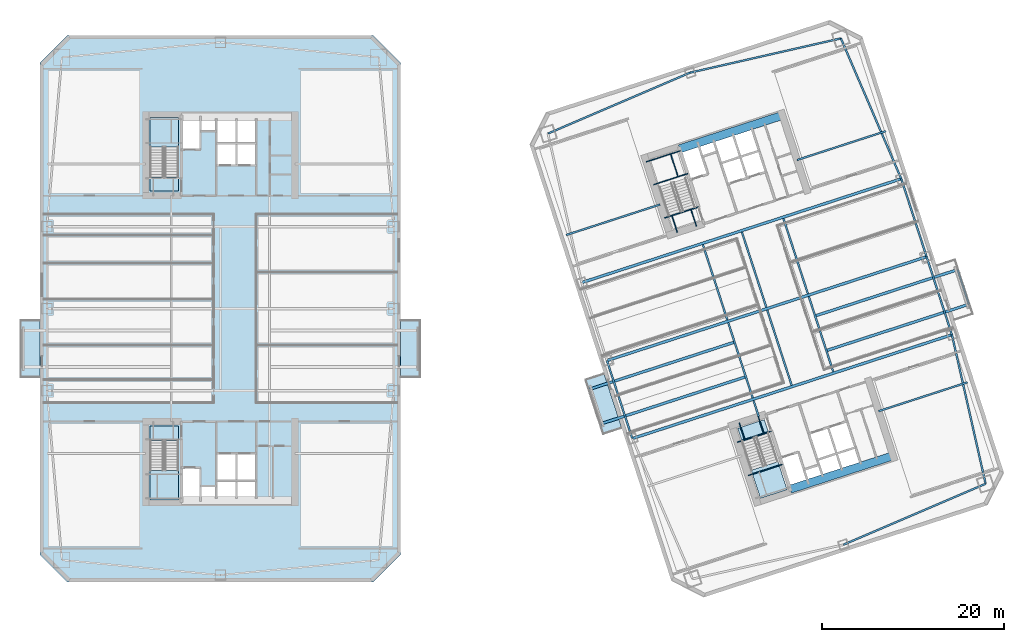
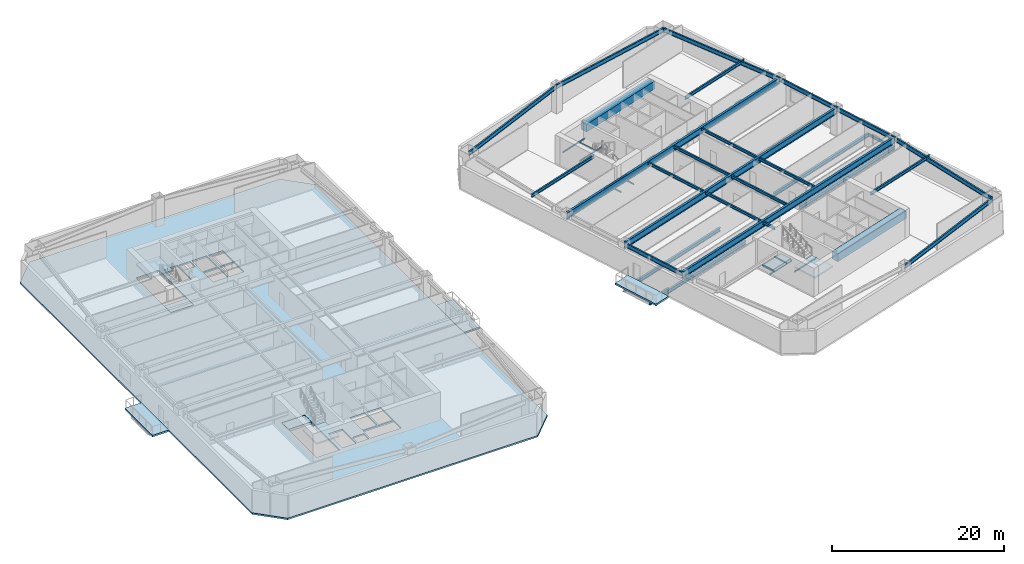
# One storey, part 2 of 18: 38 beams, 10 slabs, 3 elements without a shape of their own.
"""IFC4 building model written with IfcOpenShell, lengths in metres."""

from ifc_helpers import new_model, si_unit, direction, frame, origin, origin_2d, place, context, subcontext, project, spatial, polyline, rectangle, i_section, outline, extrude, material, layer, layer_set, material_profile, profile_set, type_object, element, aggregate, save


model = new_model("IFC4")

# Units and contexts
model_context = context("Model", 3, precision=1e-05, world=origin(), true_north=direction((0.0, 1.0)))
body_context = subcontext(model_context, "Body", "Model", "MODEL_VIEW")
ifc_project = project(units=[si_unit("LENGTHUNIT", "METRE"), si_unit("AREAUNIT", "SQUARE_METRE"), si_unit("VOLUMEUNIT", "CUBIC_METRE"), si_unit("PLANEANGLEUNIT", "RADIAN"), si_unit("MASSUNIT", "GRAM", prefix="KILO")], contexts=[model_context])

# Site, building, storey
site_placement = place(None, origin())
site = spatial("IfcSite", under=ifc_project, at=site_placement, CompositionType="ELEMENT")
building_placement = place(site_placement, origin())
building = spatial("IfcBuilding", under=site, at=building_placement, Name="Qiaolan Cultural Towers", CompositionType="ELEMENT")
storey_placement = place(building_placement, frame((0.0, 0.0, 38.0)))
storey = spatial("IfcBuildingStorey", under=building, at=storey_placement, Name="L08", CompositionType="ELEMENT", Elevation=38.0)

# Beams
ifc_material_1 = material(Name="Steel Q355B", Category="steel")
ifc_material_profile_1 = material_profile(ifc_material_1, i_section(OverallWidth=0.300048828125, OverallDepth=0.488037109375, WebThickness=0.010986328125, FlangeThickness=0.01806640625, at=origin_2d()), Name="HM488x300x11x18")
ifc_profile_set_1 = profile_set([ifc_material_profile_1], Name="Steel Q355B")
beam_type_1 = type_object("IfcBeamType", Name="BM-HM488x300x11x18", PredefinedType="BEAM", material=ifc_profile_set_1)
for number, where, z_axis, x_axis, name in (
    (1, (87.697998046875, 26.522705078125, -0.52392578125), (-0.951056559899, -0.309016860175, 0.0), (0.309016860175, -0.951056559899, 0.0), "L08 T2 Tree Balcony Back-Spanned Bracket Beam"),
    (2, (86.4619140625, 30.326904296875, -0.52392578125), (-0.951056559899, -0.309016860175, 0.0), (0.309016860175, -0.951056559899, 0.0), "L08 T2 Tree Balcony Back-Spanned Bracket Beam"),
):
    element("IfcBeam", number, at=place(storey_placement, frame(where, z_axis=z_axis, x_axis=x_axis)), inside=storey, type_object=beam_type_1, Name=name, PredefinedType="BEAM", context=body_context, shape_type="SweptSolid", body=[
        extrude(i_section(OverallWidth=0.300048828125, OverallDepth=0.488037109375, WebThickness=0.010986328125, FlangeThickness=0.01806640625, at=origin_2d()), origin(), (0.0, 0.0, 1.0), 16.75),
    ])
for number, where, z_axis, x_axis, name in (
    (3, (96.542724609375, 29.396484375, -0.52392578125), (0.951058714476, 0.309010228989, 0.0), (-0.309010228989, 0.951058714476, 0.0), "L08 T2 Tree Balcony Back-Spanned Bracket Beam"),
    (4, (95.306640625, 33.20068359375, -0.52392578125), (0.951054352744, 0.30902365302, 0.0), (-0.30902365302, 0.951054352744, 0.0), "L08 T2 Tree Balcony Back-Spanned Bracket Beam"),
):
    element("IfcBeam", number, at=place(storey_placement, frame(where, z_axis=z_axis, x_axis=x_axis)), inside=storey, type_object=beam_type_1, Name=name, PredefinedType="BEAM", context=body_context, shape_type="SweptSolid", body=[
        extrude(i_section(OverallWidth=0.300048828125, OverallDepth=0.488037109375, WebThickness=0.010986328125, FlangeThickness=0.01806640625, at=origin_2d()), origin(), (0.0, 0.0, 1.0), 16.4501953125),
    ])
ifc_material_2 = material(Name="Steel Q355B", Category="steel")
ifc_material_profile_2 = material_profile(ifc_material_2, i_section(OverallWidth=0.300048828125, OverallDepth=0.89990234375, WebThickness=0.01611328125, FlangeThickness=0.028076171875, at=origin_2d()), Name="HN900x300x16x28")
ifc_profile_set_2 = profile_set([ifc_material_profile_2], Name="Steel Q355B")
beam_type_2 = type_object("IfcBeamType", Name="BM-HN900x300x16x28", PredefinedType="BEAM", material=ifc_profile_set_2)
beam_1_placement = place(storey_placement, frame((75.234130859375, 19.739013671875, 3.2900390625), z_axis=(0.951055702987, 0.309019497469, 0.0), x_axis=(-0.309019497469, 0.951055702987, 0.0)))
element("IfcBeam", 5, at=beam_1_placement, inside=storey, type_object=beam_type_2, Name="L08 T2 Primary Transverse Girder V1", PredefinedType="BEAM", context=body_context, shape_type="SweptSolid", body=[
    extrude(i_section(OverallWidth=0.300048828125, OverallDepth=0.89990234375, WebThickness=0.01611328125, FlangeThickness=0.028076171875, at=origin_2d()), origin(), (0.0, 0.0, 1.0), 36.900146484375),
])
beam_2_placement = place(storey_placement, frame((72.453125, 28.298583984375, 3.2900390625), z_axis=(0.951055071173, 0.309021441968, 0.0), x_axis=(-0.309021441968, 0.951055071173, 0.0)))
element("IfcBeam", 6, at=beam_2_placement, inside=storey, type_object=beam_type_2, Name="L08 T2 Primary Transverse Girder V2", PredefinedType="BEAM", context=body_context, shape_type="SweptSolid", body=[
    extrude(i_section(OverallWidth=0.300048828125, OverallDepth=0.89990234375, WebThickness=0.01611328125, FlangeThickness=0.028076171875, at=origin_2d()), origin(), (0.0, 0.0, 1.0), 36.89990234375),
])
beam_3_placement = place(storey_placement, frame((69.671875, 36.858154296875, 3.2900390625), z_axis=(0.951055702987, 0.309019497469, 0.0), x_axis=(-0.309019497469, 0.951055702987, 0.0)))
element("IfcBeam", 7, at=beam_3_placement, inside=storey, type_object=beam_type_2, Name="L08 T2 Primary Transverse Girder V3", PredefinedType="BEAM", context=body_context, shape_type="SweptSolid", body=[
    extrude(i_section(OverallWidth=0.300048828125, OverallDepth=0.89990234375, WebThickness=0.01611328125, FlangeThickness=0.028076171875, at=origin_2d()), origin(), (0.0, 0.0, 1.0), 36.900146484375),
])
ifc_material_3 = material(Name="Steel Q355B", Category="steel")
ifc_material_profile_3 = material_profile(ifc_material_3, i_section(OverallWidth=0.175048828125, OverallDepth=0.35009765625, WebThickness=0.007080078125, FlangeThickness=0.010986328125, at=origin_2d()), Name="HN350x175x7x11")
ifc_profile_set_3 = profile_set([ifc_material_profile_3], Name="Steel Q355B")
beam_type_3 = type_object("IfcBeamType", Name="BM-JST-HN350x175x7x11", PredefinedType="JOIST", material=ifc_profile_set_3)
beam_4_placement = place(storey_placement, frame((112.187744140625, 34.479736328125, -0.52392578125), z_axis=(-0.3090046493, 0.951060527364, 0.0), x_axis=(-0.951060527364, -0.3090046493, 0.0)))
element("IfcBeam", 8, at=beam_4_placement, inside=storey, type_object=beam_type_3, Name="L08 T2 Tree Balcony Outer Edge Beam", PredefinedType="JOIST", context=body_context, shape_type="SweptSolid", body=[
    extrude(i_section(OverallWidth=0.175048828125, OverallDepth=0.35009765625, WebThickness=0.007080078125, FlangeThickness=0.010986328125, at=origin_2d()), origin(), (0.0, 0.0, 1.0), 4.000244140625),
])
ifc_material_4 = material(Name="Steel Q355B", Category="steel")
ifc_material_profile_4 = material_profile(ifc_material_4, i_section(OverallWidth=0.199951171875, OverallDepth=0.39990234375, WebThickness=0.008056640625, FlangeThickness=0.012939453125, at=origin_2d()), Name="HN400x200x8x13")
ifc_profile_set_4 = profile_set([ifc_material_profile_4], Name="Steel Q355B")
beam_type_4 = type_object("IfcBeamType", Name="BM-JST-HN400x200x8x13", PredefinedType="JOIST", material=ifc_profile_set_4)
beam_5_placement = place(storey_placement, frame((89.119384765625, 22.147705078125, 3.5400390625), z_axis=(-0.308933885266, 0.951083516067, 0.0), x_axis=(-0.951083516067, -0.308933885266, 0.0)))
element("IfcBeam", 9, at=beam_5_placement, inside=storey, type_object=beam_type_4, Name="L08 T2 Secondary Floor Joist U1-1", PredefinedType="JOIST", context=body_context, shape_type="SweptSolid", body=[
    extrude(i_section(OverallWidth=0.199951171875, OverallDepth=0.39990234375, WebThickness=0.008056640625, FlangeThickness=0.012939453125, at=origin_2d()), origin(), (0.0, 0.0, 1.0), 1.85009765625),
])
for number, where, z_axis, x_axis, name in (
    (10, (88.455078125, 24.192626953125, 3.5400390625), (-0.309020714809, 0.951055307445, 0.0), (-0.951055307445, -0.309020714809, 0.0), "L08 T2 Secondary Floor Joist U1-2"),
    (11, (85.673828125, 32.752197265625, 3.5400390625), (-0.309020714809, 0.951055307445, 0.0), (-0.951055307445, -0.309020714809, 0.0), "L08 T2 Secondary Floor Joist U1-3"),
    (12, (92.73486328125, 25.583251953125, 3.5400390625), (-0.309020714809, 0.951055307445, 0.0), (-0.951055307445, -0.309020714809, 0.0), "L08 T2 Secondary Floor Joist U2-2"),
    (13, (89.95361328125, 34.142578125, 3.5400390625), (-0.309020714809, 0.951055307445, 0.0), (-0.951055307445, -0.309020714809, 0.0), "L08 T2 Secondary Floor Joist U2-3"),
    (14, (97.2998046875, 27.06640625, 3.5400390625), (-0.309020714809, 0.951055307445, 0.0), (-0.951055307445, -0.309020714809, 0.0), "L08 T2 Secondary Floor Joist U3-2"),
    (15, (94.518798828125, 35.6259765625, 3.5400390625), (-0.309020714809, 0.951055307445, 0.0), (-0.951055307445, -0.309020714809, 0.0), "L08 T2 Secondary Floor Joist U3-3"),
):
    element("IfcBeam", number, at=place(storey_placement, frame(where, z_axis=z_axis, x_axis=x_axis)), inside=storey, type_object=beam_type_4, Name=name, PredefinedType="JOIST", context=body_context, shape_type="SweptSolid", body=[
        extrude(i_section(OverallWidth=0.199951171875, OverallDepth=0.39990234375, WebThickness=0.008056640625, FlangeThickness=0.012939453125, at=origin_2d()), origin(), (0.0, 0.0, 1.0), 8.699951171875),
    ])
ifc_material_5 = material(Name="Steel Q355B", Category="steel")
ifc_material_profile_5 = material_profile(ifc_material_5, i_section(OverallWidth=0.199951171875, OverallDepth=0.449951171875, WebThickness=0.009033203125, FlangeThickness=0.013916015625, at=origin_2d()), Name="HN450x200x9x14")
ifc_profile_set_5 = profile_set([ifc_material_profile_5], Name="Steel Q355B")
beam_type_5 = type_object("IfcBeamType", Name="BM-LNT-HN450x200x9x14", PredefinedType="LINTEL", material=ifc_profile_set_5)
beam_6_placement = place(storey_placement, frame((78.291259765625, 45.44189453125, 3.514892578125), z_axis=(-0.951052421511, -0.309029596542, 0.0), x_axis=(0.309029596542, -0.951052421511, 0.0)))
element("IfcBeam", 16, at=beam_6_placement, inside=storey, type_object=beam_type_5, Name="L08 T2 Core Flank Tie Lintel WN", PredefinedType="LINTEL", context=body_context, shape_type="SweptSolid", body=[
    extrude(i_section(OverallWidth=0.199951171875, OverallDepth=0.449951171875, WebThickness=0.009033203125, FlangeThickness=0.013916015625, at=origin_2d()), origin(), (0.0, 0.0, 1.0), 10.85009765625),
])
beam_7_placement = place(storey_placement, frame((102.279296875, 22.74365234375, 3.514892578125), z_axis=(0.951056820587, 0.309016057859, 0.0), x_axis=(-0.309016057859, 0.951056820587, 0.0)))
element("IfcBeam", 17, at=beam_7_placement, inside=storey, type_object=beam_type_5, Name="L08 T2 Core Flank Tie Lintel ES", PredefinedType="LINTEL", context=body_context, shape_type="SweptSolid", body=[
    extrude(i_section(OverallWidth=0.199951171875, OverallDepth=0.449951171875, WebThickness=0.009033203125, FlangeThickness=0.013916015625, at=origin_2d()), origin(), (0.0, 0.0, 1.0), 10.250244140625),
])
beam_8_placement = place(storey_placement, frame((93.31787109375, 50.32421875, 3.514892578125), z_axis=(0.951054546097, 0.309023057955, 0.0), x_axis=(-0.309023057955, 0.951054546097, 0.0)))
element("IfcBeam", 18, at=beam_8_placement, inside=storey, type_object=beam_type_5, Name="L08 T2 Core Flank Tie Lintel EN", PredefinedType="LINTEL", context=body_context, shape_type="SweptSolid", body=[
    extrude(i_section(OverallWidth=0.199951171875, OverallDepth=0.449951171875, WebThickness=0.009033203125, FlangeThickness=0.013916015625, at=origin_2d()), origin(), (0.0, 0.0, 1.0), 10.25),
])
ifc_material_6 = material(Name="Concrete C50", Category="concrete")
ifc_material_profile_6 = material_profile(ifc_material_6, rectangle(XDim=0.89990234375, YDim=1.10009765625, at=origin_2d()), Name="RC900x1100")
ifc_profile_set_6 = profile_set([ifc_material_profile_6], Name="Concrete C50")
beam_type_6 = type_object("IfcBeamType", Name="BM-RC900x1100", PredefinedType="BEAM", material=ifc_profile_set_6)
for number, where, z_axis, x_axis, name in (
    (19, (92.572265625, 14.174560546875, 3.18994140625), (0.951056266386, 0.309017763514, 0.0), (-0.309017763514, 0.951056266386, 0.0), "L08 T2 Core Header Girder S"),
    (20, (80.427978515625, 51.551025390625, 3.18994140625), (0.951056266386, 0.309017763514, 0.0), (-0.309017763514, 0.951056266386, 0.0), "L08 T2 Core Header Girder N"),
):
    element("IfcBeam", number, at=place(storey_placement, frame(where, z_axis=z_axis, x_axis=x_axis)), inside=storey, type_object=beam_type_6, Name=name, PredefinedType="BEAM", context=body_context, shape_type="SweptSolid", body=[
        extrude(rectangle(XDim=0.89990234375, YDim=1.10009765625, at=origin_2d()), origin(), (0.0, 0.0, 1.0), 11.880126953125),
    ])
ifc_material_7 = material(Name="Steel Q355B", Category="steel")
ifc_material_profile_7 = material_profile(ifc_material_7, i_section(OverallWidth=0.199951171875, OverallDepth=0.60009765625, WebThickness=0.010986328125, FlangeThickness=0.01708984375, at=origin_2d()), Name="HN600x200x11x17")
ifc_profile_set_7 = profile_set([ifc_material_profile_7], Name="Steel Q355B")
beam_type_7 = type_object("IfcBeamType", Name="BM-SPD-HN600x200x11x17", PredefinedType="SPANDREL", material=ifc_profile_set_7)
beam_9_placement = place(storey_placement, frame((98.420654296875, 8.083740234375, 3.43994140625), z_axis=(0.919108584923, 0.394004326272, 0.0), x_axis=(-0.394004326272, 0.919108584923, 0.0)))
element("IfcBeam", 21, at=beam_9_placement, inside=storey, type_object=beam_type_7, Name="L08 T2 Perimeter Spandrel Beam 2", PredefinedType="SPANDREL", context=body_context, shape_type="SweptSolid", body=[
    extrude(i_section(OverallWidth=0.199951171875, OverallDepth=0.60009765625, WebThickness=0.010986328125, FlangeThickness=0.01708984375, at=origin_2d()), origin(), (0.0, 0.0, 1.0), 16.97998046875),
])
beam_10_placement = place(storey_placement, frame((114.027099609375, 14.77392578125, 3.43994140625), z_axis=(-0.220430557386, 0.975402670373, 0.0), x_axis=(-0.975402670373, -0.220430557386, 0.0)))
element("IfcBeam", 22, at=beam_10_placement, inside=storey, type_object=beam_type_7, Name="L08 T2 Perimeter Spandrel Beam 3", PredefinedType="SPANDREL", context=body_context, shape_type="SweptSolid", body=[
    extrude(i_section(OverallWidth=0.199951171875, OverallDepth=0.60009765625, WebThickness=0.010986328125, FlangeThickness=0.01708984375, at=origin_2d()), origin(), (0.0, 0.0, 1.0), 16.78076171875),
])
for number, where, z_axis, x_axis, name in (
    (23, (110.328125, 31.141845703125, 3.43994140625), (-0.309024734286, 0.951054001411, 0.0), (-0.951054001411, -0.309024734286, 0.0), "L08 T2 Perimeter Spandrel Beam 4"),
    (24, (107.546875, 39.701416015625, 3.43994140625), (-0.309000197986, 0.951061973609, 0.0), (-0.951061973609, -0.309000197986, 0.0), "L08 T2 Perimeter Spandrel Beam 5"),
):
    element("IfcBeam", number, at=place(storey_placement, frame(where, z_axis=z_axis, x_axis=x_axis)), inside=storey, type_object=beam_type_7, Name=name, PredefinedType="SPANDREL", context=body_context, shape_type="SweptSolid", body=[
        extrude(i_section(OverallWidth=0.199951171875, OverallDepth=0.60009765625, WebThickness=0.010986328125, FlangeThickness=0.01708984375, at=origin_2d()), origin(), (0.0, 0.0, 1.0), 9.0),
    ])
beam_11_placement = place(storey_placement, frame((104.765869140625, 48.260986328125, 3.43994140625), z_axis=(-0.394998896054, 0.918681594524, 0.0), x_axis=(-0.918681594524, -0.394998896054, 0.0)))
element("IfcBeam", 25, at=beam_11_placement, inside=storey, type_object=beam_type_7, Name="L08 T2 Perimeter Spandrel Beam 6", PredefinedType="SPANDREL", context=body_context, shape_type="SweptSolid", body=[
    extrude(i_section(OverallWidth=0.199951171875, OverallDepth=0.60009765625, WebThickness=0.010986328125, FlangeThickness=0.01708984375, at=origin_2d()), origin(), (0.0, 0.0, 1.0), 16.78076171875),
])
for number, where, z_axis, x_axis, name in (
    (26, (98.137451171875, 63.67724609375, 3.43994140625), (-0.975161095889, -0.221496810506, 0.0), (0.221496810506, -0.975161095889, 0.0), "L08 T2 Perimeter Spandrel Beam 7"),
    (27, (81.579345703125, 59.916259765625, 3.43994140625), (-0.919108584923, -0.394004326272, 0.0), (0.394004326272, -0.919108584923, 0.0), "L08 T2 Perimeter Spandrel Beam 8"),
):
    element("IfcBeam", number, at=place(storey_placement, frame(where, z_axis=z_axis, x_axis=x_axis)), inside=storey, type_object=beam_type_7, Name=name, PredefinedType="SPANDREL", context=body_context, shape_type="SweptSolid", body=[
        extrude(i_section(OverallWidth=0.199951171875, OverallDepth=0.60009765625, WebThickness=0.010986328125, FlangeThickness=0.01708984375, at=origin_2d()), origin(), (0.0, 0.0, 1.0), 16.97998046875),
    ])
beam_12_placement = place(storey_placement, frame((72.453125, 28.298583984375, 3.43994140625), z_axis=(0.309000197986, -0.951061973609, 0.0), x_axis=(0.951061973609, 0.309000197986, 0.0)))
element("IfcBeam", 28, at=beam_12_placement, inside=storey, type_object=beam_type_7, Name="L08 T2 Perimeter Spandrel Beam 11", PredefinedType="SPANDREL", context=body_context, shape_type="SweptSolid", body=[
    extrude(i_section(OverallWidth=0.199951171875, OverallDepth=0.60009765625, WebThickness=0.010986328125, FlangeThickness=0.01708984375, at=origin_2d()), origin(), (0.0, 0.0, 1.0), 9.0),
])
ifc_material_8 = material(Name="Steel Q355B", Category="steel")
ifc_material_profile_8 = material_profile(ifc_material_8, i_section(OverallWidth=0.10009765625, OverallDepth=0.199951171875, WebThickness=0.005615234375, FlangeThickness=0.008056640625, at=origin_2d()), Name="HN200x100x5.5x8")
ifc_profile_set_8 = profile_set([ifc_material_profile_8], Name="Steel Q355B")
beam_type_8 = type_object("IfcBeamType", Name="BM-STTRIM-200", PredefinedType="BEAM", material=ifc_profile_set_8)
beam_13_placement = place(storey_placement, frame((86.770751953125, 19.3447265625, -0.4599609375), z_axis=(0.951047798727, 0.309043823005, 0.0), x_axis=(-0.309043823005, 0.951047798727, 0.0)))
element("IfcBeam", 29, at=beam_13_placement, inside=storey, type_object=beam_type_8, Name="L08 ST-E1 Floor Landing Header Beam", PredefinedType="BEAM", context=body_context, shape_type="SweptSolid", body=[
    extrude(i_section(OverallWidth=0.10009765625, OverallDepth=0.199951171875, WebThickness=0.005615234375, FlangeThickness=0.008056640625, at=origin_2d()), origin(), (0.0, 0.0, 1.0), 3.919921875),
])
for number, where, z_axis, x_axis, name in (
    (30, (86.9794921875, 21.452392578125, -0.4599609375), (0.309083226701, -0.951034993558, 0.0), (0.951034993558, 0.309083226701, 0.0), "L08 ST-E1 Floor Landing Stringer 1"),
    (31, (89.07177734375, 22.13232421875, -0.4599609375), (0.309083226701, -0.951034993558, 0.0), (0.951034993558, 0.309083226701, 0.0), "L08 ST-E1 Floor Landing Stringer 2"),
):
    element("IfcBeam", number, at=place(storey_placement, frame(where, z_axis=z_axis, x_axis=x_axis)), inside=storey, type_object=beam_type_8, Name=name, PredefinedType="BEAM", context=body_context, shape_type="SweptSolid", body=[
        extrude(i_section(OverallWidth=0.10009765625, OverallDepth=0.199951171875, WebThickness=0.005615234375, FlangeThickness=0.008056640625, at=origin_2d()), origin(), (0.0, 0.0, 1.0), 1.93994140625),
    ])
beam_14_placement = place(storey_placement, frame((87.9599609375, 15.6845703125, 1.699951171875), z_axis=(0.951066103084, 0.308987487715, 0.0), x_axis=(-0.308987487715, 0.951066103084, 0.0)))
element("IfcBeam", 32, at=beam_14_placement, inside=storey, type_object=beam_type_8, Name="L08 ST-E1 Stair Landing Support Beam 1-1", PredefinedType="BEAM", context=body_context, shape_type="SweptSolid", body=[
    extrude(i_section(OverallWidth=0.10009765625, OverallDepth=0.199951171875, WebThickness=0.005615234375, FlangeThickness=0.008056640625, at=origin_2d()), origin(), (0.0, 0.0, 1.0), 3.919921875),
])
beam_15_placement = place(storey_placement, frame((78.773193359375, 43.958251953125, -0.4599609375), z_axis=(0.951072048947, 0.3089691857, 0.0), x_axis=(-0.3089691857, 0.951072048947, 0.0)))
element("IfcBeam", 33, at=beam_15_placement, inside=storey, type_object=beam_type_8, Name="L08 ST-E2 Floor Landing Header Beam", PredefinedType="BEAM", context=body_context, shape_type="SweptSolid", body=[
    extrude(i_section(OverallWidth=0.10009765625, OverallDepth=0.199951171875, WebThickness=0.005615234375, FlangeThickness=0.008056640625, at=origin_2d()), origin(), (0.0, 0.0, 1.0), 3.920166015625),
])
for number, where, z_axis, x_axis, name in (
    (34, (80.18115234375, 42.375732421875, -0.4599609375), (-0.308969394428, 0.951071981138, 0.0), (-0.951071981138, -0.308969394428, 0.0), "L08 ST-E2 Floor Landing Stringer 1"),
    (35, (82.2734375, 43.0556640625, -0.4599609375), (-0.308969394428, 0.951071981138, 0.0), (-0.951071981138, -0.308969394428, 0.0), "L08 ST-E2 Floor Landing Stringer 2"),
):
    element("IfcBeam", number, at=place(storey_placement, frame(where, z_axis=z_axis, x_axis=x_axis)), inside=storey, type_object=beam_type_8, Name=name, PredefinedType="BEAM", context=body_context, shape_type="SweptSolid", body=[
        extrude(i_section(OverallWidth=0.10009765625, OverallDepth=0.199951171875, WebThickness=0.005615234375, FlangeThickness=0.008056640625, at=origin_2d()), origin(), (0.0, 0.0, 1.0), 1.93994140625),
    ])
beam_16_placement = place(storey_placement, frame((77.583984375, 47.618408203125, 1.699951171875), z_axis=(0.951047798727, 0.309043823005, 0.0), x_axis=(-0.309043823005, 0.951047798727, 0.0)))
element("IfcBeam", 36, at=beam_16_placement, inside=storey, type_object=beam_type_8, Name="L08 ST-E2 Stair Landing Support Beam 1-1", PredefinedType="BEAM", context=body_context, shape_type="SweptSolid", body=[
    extrude(i_section(OverallWidth=0.10009765625, OverallDepth=0.199951171875, WebThickness=0.005615234375, FlangeThickness=0.008056640625, at=origin_2d()), origin(), (0.0, 0.0, 1.0), 3.919921875),
])
beam_17_placement = place(storey_placement, frame((76.770751953125, 50.12109375, 1.699951171875), z_axis=(0.951072048947, 0.3089691857, 0.0), x_axis=(-0.3089691857, 0.951072048947, 0.0)))
element("IfcBeam", 37, at=beam_17_placement, inside=storey, type_object=beam_type_8, Name="L08 ST-E2 Stair Landing Support Beam 1-2", PredefinedType="BEAM", context=body_context, shape_type="SweptSolid", body=[
    extrude(i_section(OverallWidth=0.10009765625, OverallDepth=0.199951171875, WebThickness=0.005615234375, FlangeThickness=0.008056640625, at=origin_2d()), origin(), (0.0, 0.0, 1.0), 3.920166015625),
])
beam_18_placement = place(storey_placement, frame((80.25634765625, 48.48681640625, 1.699951171875), z_axis=(-0.308981166967, 0.95106815658, 0.0), x_axis=(-0.95106815658, -0.308981166967, 0.0)))
element("IfcBeam", 38, at=beam_18_placement, inside=storey, type_object=beam_type_8, Name="L08 ST-E2 Stair Landing Trimmer 1", PredefinedType="BEAM", context=body_context, shape_type="SweptSolid", body=[
    extrude(i_section(OverallWidth=0.10009765625, OverallDepth=0.199951171875, WebThickness=0.005615234375, FlangeThickness=0.008056640625, at=origin_2d()), origin(), (0.0, 0.0, 1.0), 2.631103515625),
])

# Slabs
ifc_material_9 = material(Name="Concrete C45", Category="concrete")
ifc_layer_1 = layer(ifc_material_9, 0.239990234375)
ifc_layer_set_1 = layer_set([ifc_layer_1], Name="Concrete C45")
slab_type_1 = type_object("IfcSlabType", Name="SL-BAL-240", PredefinedType="FLOOR", material=ifc_layer_set_1)
slab_1_placement = place(storey_placement, frame((0.0, 0.0, -0.239990234375)))
element("IfcSlab", 39, at=slab_1_placement, inside=storey, type_object=slab_type_1, Name="L08 T1 Planted Tree Balcony W", PredefinedType="FLOOR", context=body_context, shape_type="SweptSolid", body=[
    extrude(outline(polyline([(8.0, 26.39990234375), (10.199951171875, 26.39990234375), (10.199951171875, 32.800048828125), (8.0, 32.800048828125), (8.0, 26.39990234375)])), origin(), (0.0, 0.0, 1.0), 0.239990234375),
])
slab_2_placement = place(storey_placement, frame((0.0, 0.0, -0.239990234375)))
element("IfcSlab", 40, at=slab_2_placement, inside=storey, type_object=slab_type_1, Name="L08 T1 Planted Tree Balcony E", PredefinedType="FLOOR", context=body_context, shape_type="SweptSolid", body=[
    extrude(outline(polyline([(49.800048828125, 26.39990234375), (52.0, 26.39990234375), (52.0, 32.800048828125), (49.800048828125, 32.800048828125), (49.800048828125, 26.39990234375)])), origin(), (0.0, 0.0, 1.0), 0.239990234375),
])
slab_3_placement = place(storey_placement, frame((0.0, 0.0, -0.239990234375)))
element("IfcSlab", 41, at=slab_3_placement, inside=storey, type_object=slab_type_1, Name="L08 T2 Planted Tree Balcony W", PredefinedType="FLOOR", context=body_context, shape_type="SweptSolid", body=[
    extrude(outline(polyline([(71.995849609375, 20.158935546875), (74.088134765625, 20.8388671875), (72.110595703125, 26.925537109375), (70.018310546875, 26.245849609375), (71.995849609375, 20.158935546875)])), origin(), (0.0, 0.0, 1.0), 0.239990234375),
])

# Stair, slab
ifc_material_10 = material(Name="Concrete C45", Category="concrete")
stair_type = type_object("IfcStairType", Name="STR-CORE-1500", PredefinedType="HALF_TURN_STAIR", material=ifc_material_10)
stair_1_placement = place(storey_placement, origin())
stair_1 = element("IfcStair", 42, at=stair_1_placement, inside=storey, type_object=stair_type, Name="L08 Smokeproof Exit Stair ST-W1", PredefinedType="HALF_TURN_STAIR")
ifc_material_11 = material(Name="Concrete C45", Category="concrete")
ifc_layer_2 = layer(ifc_material_11, 0.199951171875)
ifc_layer_set_2 = layer_set([ifc_layer_2], Name="Concrete C45")
slab_type_2 = type_object("IfcSlabType", Name="SL-STAIR-LAND", PredefinedType="LANDING", material=ifc_layer_set_2)
slab_4_placement = place(storey_placement, frame((0.0, 0.0, 1.800048828125)))
slab_4 = element("IfcSlab", 43, at=slab_4_placement, type_object=slab_type_2, Name="ST-W1 landing 1", PredefinedType="LANDING", context=body_context, shape_type="SweptSolid", body=[
    extrude(outline(polyline([(22.300048828125, 16.251220703125), (22.300048828125, 13.0), (25.3798828125, 13.0), (25.3798828125, 16.251220703125), (22.300048828125, 16.251220703125)])), origin(), (0.0, 0.0, 1.0), 0.199951171875),
])
aggregate(stair_1, [slab_4])

stair_2_placement = place(storey_placement, origin())
stair_2 = element("IfcStair", 44, at=stair_2_placement, inside=storey, type_object=stair_type, Name="L08 Smokeproof Exit Stair ST-W2", PredefinedType="HALF_TURN_STAIR")
slab_5_placement = place(storey_placement, frame((0.0, 0.0, 1.800048828125)))
slab_5 = element("IfcSlab", 45, at=slab_5_placement, type_object=slab_type_2, Name="ST-W2 landing 1", PredefinedType="LANDING", context=body_context, shape_type="SweptSolid", body=[
    extrude(outline(polyline([(25.3798828125, 51.748779296875), (25.3798828125, 55.0), (22.300048828125, 55.0), (22.300048828125, 51.748779296875), (25.3798828125, 51.748779296875)])), origin(), (0.0, 0.0, 1.0), 0.199951171875),
])
aggregate(stair_2, [slab_5])

stair_3_placement = place(storey_placement, origin())
stair_3 = element("IfcStair", 46, at=stair_3_placement, inside=storey, type_object=stair_type, Name="L08 Smokeproof Exit Stair ST-E1", PredefinedType="HALF_TURN_STAIR")
slab_6_placement = place(storey_placement, frame((0.0, 0.0, 1.800048828125)))
slab_6 = element("IfcSlab", 47, at=slab_6_placement, type_object=slab_type_2, Name="ST-E1 landing 1", PredefinedType="LANDING", context=body_context, shape_type="SweptSolid", body=[
    extrude(outline(polyline([(88.299560546875, 16.25732421875), (89.30419921875, 13.165283203125), (92.2333984375, 14.116943359375), (91.228759765625, 17.209228515625), (88.299560546875, 16.25732421875)])), origin(), (0.0, 0.0, 1.0), 0.199951171875),
])
aggregate(stair_3, [slab_6])

# Slabs
ifc_material_12 = material(Name="Concrete C40", Category="concrete")
ifc_layer_3 = layer(ifc_material_12, 0.360107421875)
ifc_layer_set_3 = layer_set([ifc_layer_3], Name="Concrete C40")
slab_type_3 = type_object("IfcSlabType", Name="SL-STFLR-360", PredefinedType="LANDING", material=ifc_layer_set_3)
slab_7_placement = place(storey_placement, frame((0.0, 0.0, -0.360107421875)))
element("IfcSlab", 48, at=slab_7_placement, inside=storey, type_object=slab_type_3, Name="L08 ST-W1 Stair Floor Landing Slab", PredefinedType="LANDING", context=body_context, shape_type="SweptSolid", body=[
    extrude(outline(polyline([(22.302001953125, 21.097900390625), (22.302001953125, 19.548583984375), (25.3779296875, 19.548583984375), (25.3779296875, 21.097900390625), (22.302001953125, 21.097900390625)])), origin(), (0.0, 0.0, 1.0), 0.360107421875),
])
slab_8_placement = place(storey_placement, frame((0.0, 0.0, -0.360107421875)))
element("IfcSlab", 49, at=slab_8_placement, inside=storey, type_object=slab_type_3, Name="L08 ST-W2 Stair Floor Landing Slab", PredefinedType="LANDING", context=body_context, shape_type="SweptSolid", body=[
    extrude(outline(polyline([(25.3779296875, 46.902099609375), (25.3779296875, 48.451416015625), (22.302001953125, 48.451416015625), (22.302001953125, 46.902099609375), (25.3779296875, 46.902099609375)])), origin(), (0.0, 0.0, 1.0), 0.360107421875),
])
slab_9_placement = place(storey_placement, frame((0.0, 0.0, -0.360107421875)))
element("IfcSlab", 50, at=slab_9_placement, inside=storey, type_object=slab_type_3, Name="L08 ST-E1 Stair Floor Landing Slab", PredefinedType="LANDING", context=body_context, shape_type="SweptSolid", body=[
    extrude(outline(polyline([(86.8037109375, 20.867431640625), (87.282470703125, 19.39404296875), (90.2080078125, 20.3447265625), (89.729248046875, 21.818115234375), (86.8037109375, 20.867431640625)])), origin(), (0.0, 0.0, 1.0), 0.360107421875),
])
ifc_material_13 = material(Name="Concrete C45", Category="concrete")
ifc_layer_4 = layer(ifc_material_13, 0.219970703125)
ifc_layer_set_4 = layer_set([ifc_layer_4], Name="Concrete C45")
slab_type_4 = type_object("IfcSlabType", Name="SL-TYP-220", PredefinedType="FLOOR", material=ifc_layer_set_4)
slab_10_placement = place(storey_placement, frame((0.0, 0.0, -0.219970703125)))
element("IfcSlab", 51, at=slab_10_placement, inside=storey, type_object=slab_type_4, Name="L08 West Tower Floor Slab", PredefinedType="FLOOR", context=body_context, shape_type="SweptSolid", body=[
    extrude(outline(polyline([(13.199951171875, 4.0), (46.800048828125, 4.0), (49.800048828125, 7.0), (49.800048828125, 61.0), (46.800048828125, 64.0), (13.199951171875, 64.0), (10.199951171875, 61.0), (10.199951171875, 7.0), (13.199951171875, 4.0)]), holes=[polyline([(22.300048828125, 21.10009765625), (22.300048828125, 13.0), (25.3798828125, 13.0), (25.3798828125, 21.10009765625), (22.300048828125, 21.10009765625)]), polyline([(25.3798828125, 46.89990234375), (25.3798828125, 55.0), (22.300048828125, 55.0), (22.300048828125, 46.89990234375), (25.3798828125, 46.89990234375)]), polyline([(25.89990234375, 13.199951171875), (27.75, 13.199951171875), (27.75, 16.449951171875), (25.89990234375, 16.449951171875), (25.89990234375, 13.199951171875)]), polyline([(27.93994140625, 13.25), (29.449951171875, 13.25), (29.449951171875, 14.419921875), (27.93994140625, 14.419921875), (27.93994140625, 13.25)]), polyline([(29.679931640625, 15.199951171875), (31.679931640625, 15.199951171875), (31.679931640625, 18.0), (29.679931640625, 18.0), (29.679931640625, 15.199951171875)]), polyline([(31.8798828125, 15.199951171875), (33.820068359375, 15.199951171875), (33.820068359375, 18.0), (31.8798828125, 18.0), (31.8798828125, 15.199951171875)]), polyline([(29.679931640625, 13.25), (33.820068359375, 13.25), (33.820068359375, 14.97998046875), (29.679931640625, 14.97998046875), (29.679931640625, 13.25)]), polyline([(25.89990234375, 51.550048828125), (27.75, 51.550048828125), (27.75, 54.800048828125), (25.89990234375, 54.800048828125), (25.89990234375, 51.550048828125)]), polyline([(27.93994140625, 53.580078125), (29.449951171875, 53.580078125), (29.449951171875, 54.75), (27.93994140625, 54.75), (27.93994140625, 53.580078125)]), polyline([(29.679931640625, 49.820068359375), (31.679931640625, 49.820068359375), (31.679931640625, 52.080078125), (29.679931640625, 52.080078125), (29.679931640625, 49.820068359375)]), polyline([(31.8798828125, 49.820068359375), (33.820068359375, 49.820068359375), (33.820068359375, 52.080078125), (31.8798828125, 52.080078125), (31.8798828125, 49.820068359375)]), polyline([(29.679931640625, 52.27001953125), (31.659912109375, 52.27001953125), (31.659912109375, 54.75), (29.679931640625, 54.75), (29.679931640625, 52.27001953125)]), polyline([(31.8798828125, 52.27001953125), (33.820068359375, 52.27001953125), (33.820068359375, 54.75), (31.8798828125, 54.75), (31.8798828125, 52.27001953125)])]), origin(), (0.0, 0.0, 1.0), 0.219970703125),
])

save(model, "model.ifc")
